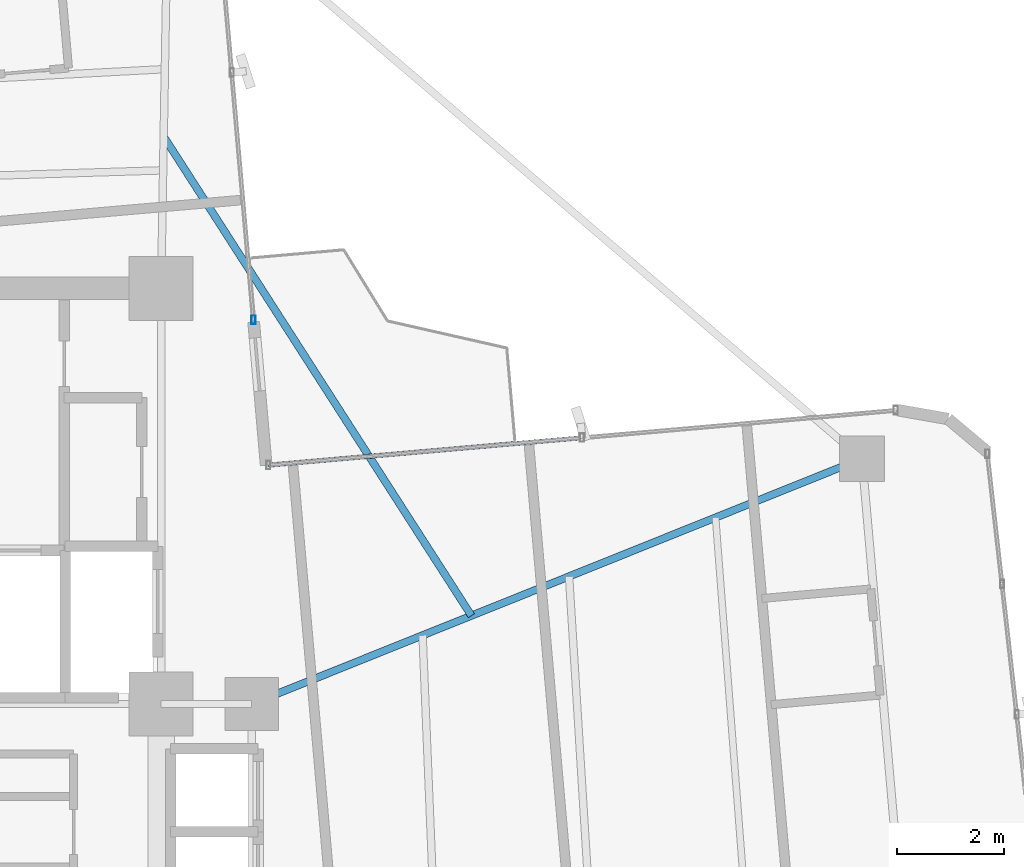
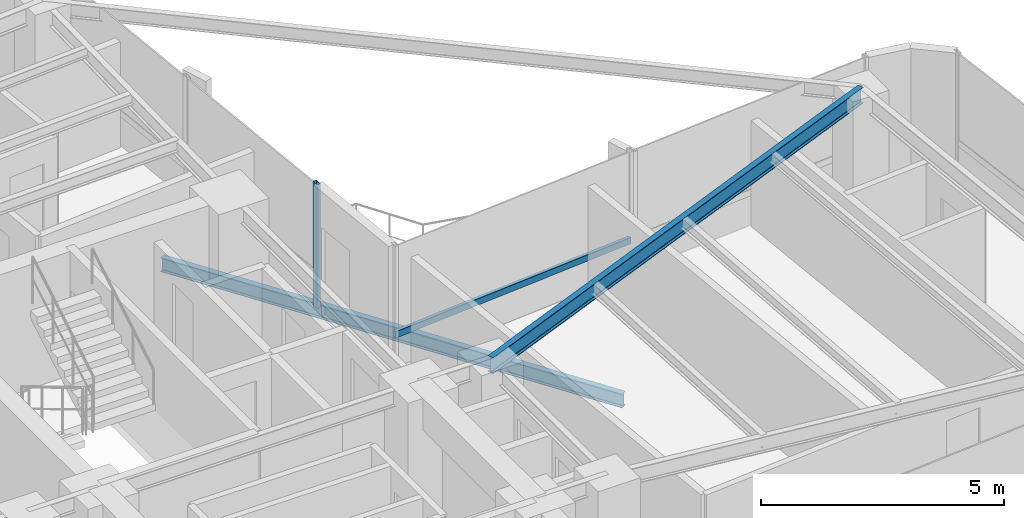
# One storey, part 12 of 24: 2 beams, 2 members, 2 elements without a shape of their own.
"""IFC4 building model written with IfcOpenShell, lengths in metres."""

from ifc_helpers import new_model, si_unit, direction, frame, origin, origin_2d, place, context, subcontext, project, spatial, hollow_rectangle, i_section, extrude, source, transform, mapped, material, material_profile, profile_set, type_object, element, aggregate, save


model = new_model("IFC4")

# Units and contexts
model_context = context("Model", 3, precision=1e-05, world=origin(), true_north=direction((0.0, 1.0)))
body_context = subcontext(model_context, "Body", "Model", "MODEL_VIEW")
ifc_project = project(units=[si_unit("LENGTHUNIT", "METRE"), si_unit("AREAUNIT", "SQUARE_METRE"), si_unit("VOLUMEUNIT", "CUBIC_METRE"), si_unit("PLANEANGLEUNIT", "RADIAN"), si_unit("MASSUNIT", "GRAM", prefix="KILO")], contexts=[model_context])

# Site, building, storey
site_placement = place(None, origin())
site = spatial("IfcSite", under=ifc_project, at=site_placement, CompositionType="ELEMENT")
building_placement = place(site_placement, origin())
building = spatial("IfcBuilding", under=site, at=building_placement, Name="Sahyath Konkavel Grand Hotel", CompositionType="ELEMENT")
storey_placement = place(building_placement, frame((0.0, 0.0, 157.300048828125)))
storey = spatial("IfcBuildingStorey", under=building, at=storey_placement, Name="L43", CompositionType="ELEMENT", Elevation=157.300048828125)

# Beam
ifc_material_1 = material(Name="Steel E350", Category="steel")
ifc_material_profile_1 = material_profile(ifc_material_1, i_section(OverallWidth=0.139892578125, OverallDepth=0.39990234375, WebThickness=0.0087890625, FlangeThickness=0.01611328125, FilletRadius=0.013916015625, at=origin_2d()), Name="ISMB 400")
ifc_profile_set_1 = profile_set([ifc_material_profile_1], Name="Steel E350")
beam_type_1 = type_object("IfcBeamType", Name="BM-ISMB400", PredefinedType="BEAM", material=ifc_profile_set_1)
shared_shape_1 = source(origin(), body_context, "Body", "SweptSolid", [
    extrude(i_section(OverallWidth=0.139892578125, OverallDepth=0.39990234375, WebThickness=0.0087890625, FlangeThickness=0.01611328125, FilletRadius=0.013916015625, at=origin_2d()), origin(), (0.0, 0.0, 1.0), 12.344970703125),
])
beam_1_placement = place(storey_placement, frame((5.5, 2.39990234375, 2.909912109375), z_axis=(0.927837014101, 0.372985891507, 0.0), x_axis=(-0.372985891507, 0.927837014101, 0.0)))
element("IfcBeam", 1, at=beam_1_placement, inside=storey, type_object=beam_type_1, Name="L43 Cruciform Radial Girder EB", PredefinedType="BEAM", context=body_context, shape_type="MappedRepresentation", body=[
    mapped(shared_shape_1, transform((0.0, 0.0, 0.0), scale=1.0)),
])

# Curtain wall, member
ifc_material_2 = material(Name="Anodised Bronze Aluminium & Low-E Glazing", Category="aluminium")
curtain_wall_type = type_object("IfcCurtainWallType", Name="CW-ZONE3", PredefinedType="NOTDEFINED", material=ifc_material_2)
curtain_wall_1_placement = place(storey_placement, origin())
curtain_wall_1 = element("IfcCurtainWall", 2, at=curtain_wall_1_placement, inside=storey, type_object=curtain_wall_type, Name="L43 Unitised Curtain Wall F8", PredefinedType="NOTDEFINED")
ifc_material_3 = material(Name="Anodised Bronze Aluminium", Category="aluminium")
ifc_material_profile_2 = material_profile(ifc_material_3, hollow_rectangle(XDim=0.080078125, YDim=0.159912109375, WallThickness=0.006103515625, at=origin_2d()), Name="RHS 160x80x6")
ifc_profile_set_2 = profile_set([ifc_material_profile_2], Name="Anodised Bronze Aluminium")
member_type_1 = type_object("IfcMemberType", Name="CW-MUL-160", PredefinedType="MULLION", material=ifc_profile_set_2)
shared_shape_2 = source(origin(), body_context, "Body", "SweptSolid", [
    extrude(hollow_rectangle(XDim=0.080078125, YDim=0.159912109375, WallThickness=0.006103515625, at=origin_2d()), origin(), (0.0, 0.0, 1.0), 3.10986328125),
])
member_1_placement = place(storey_placement, frame((5.53369140625, 9.60888671875, 0.0), z_axis=(0.0, 0.0, 1.0), x_axis=(1.0, 0.0, 0.0)))
member_1 = element("IfcMember", 3, at=member_1_placement, type_object=member_type_1, Name="L43 Curtain Wall Mullion F8-0", PredefinedType="MULLION", context=body_context, shape_type="MappedRepresentation", body=[
    mapped(shared_shape_2, transform((0.0, 0.0, 0.0), scale=1.0)),
])
aggregate(curtain_wall_1, [member_1])

curtain_wall_2_placement = place(storey_placement, origin())
curtain_wall_2 = element("IfcCurtainWall", 4, at=curtain_wall_2_placement, inside=storey, type_object=curtain_wall_type, Name="L43 Unitised Curtain Wall F7", PredefinedType="NOTDEFINED")
ifc_material_profile_3 = material_profile(ifc_material_3, hollow_rectangle(XDim=0.080078125, YDim=0.159912109375, WallThickness=0.006103515625, at=origin_2d()), Name="RHS 160x80x6")
ifc_profile_set_3 = profile_set([ifc_material_profile_3], Name="Anodised Bronze Aluminium")
member_type_2 = type_object("IfcMemberType", Name="CW-TRN-160", PredefinedType="USERDEFINED", material=ifc_profile_set_3)
shared_shape_3 = source(origin(), body_context, "Body", "SweptSolid", [
    extrude(hollow_rectangle(XDim=0.080078125, YDim=0.159912109375, WallThickness=0.006103515625, at=origin_2d()), origin(), (0.0, 0.0, 1.0), 5.909912109375),
])
member_2_placement = place(storey_placement, frame((11.69970703125, 7.39794921875, 0.849853515625), z_axis=(-0.996193941691, -0.087164388014, 0.0), x_axis=(0.087164388014, -0.996193941691, 0.0)))
member_2 = element("IfcMember", 5, at=member_2_placement, type_object=member_type_2, Name="L43 Curtain Wall Transom F7-1-spandrel", ObjectType="TRANSOM", PredefinedType="USERDEFINED", context=body_context, shape_type="MappedRepresentation", body=[
    mapped(shared_shape_3, transform((0.0, 0.0, 0.0), scale=1.0)),
])
aggregate(curtain_wall_2, [member_2])

# Beam
ifc_material_profile_4 = material_profile(ifc_material_1, i_section(OverallWidth=0.139892578125, OverallDepth=0.35009765625, WebThickness=0.008056640625, FlangeThickness=0.01416015625, FilletRadius=0.013916015625, at=origin_2d()), Name="ISMB 350")
ifc_profile_set_4 = profile_set([ifc_material_profile_4], Name="Steel E350")
beam_type_2 = type_object("IfcBeamType", Name="BM-BALC-CANT", PredefinedType="BEAM", material=ifc_profile_set_4)
shared_shape_4 = source(origin(), body_context, "Body", "SweptSolid", [
    extrude(i_section(OverallWidth=0.139892578125, OverallDepth=0.35009765625, WebThickness=0.008056640625, FlangeThickness=0.01416015625, FilletRadius=0.013916015625, at=origin_2d()), origin(), (0.0, 0.0, 1.0), 10.685302734375),
])
beam_2_placement = place(storey_placement, frame((9.62353515625, 4.0576171875, -0.4150390625), z_axis=(-0.540404181048, 0.841405562797, 0.0), x_axis=(-0.841405562797, -0.540404181048, 0.0)))
element("IfcBeam", 6, at=beam_2_placement, inside=storey, type_object=beam_type_2, Name="L43 Balcony Cantilever Support Beam NE", PredefinedType="BEAM", context=body_context, shape_type="MappedRepresentation", body=[
    mapped(shared_shape_4, transform((0.0, 0.0, 0.0), scale=1.0)),
])

save(model, "model.ifc")
